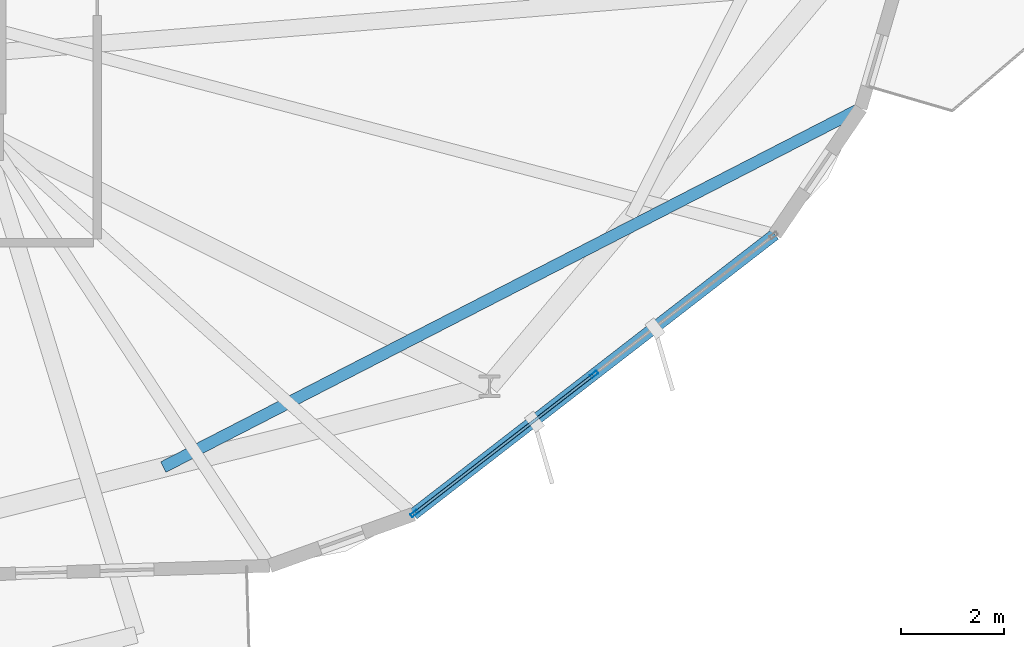
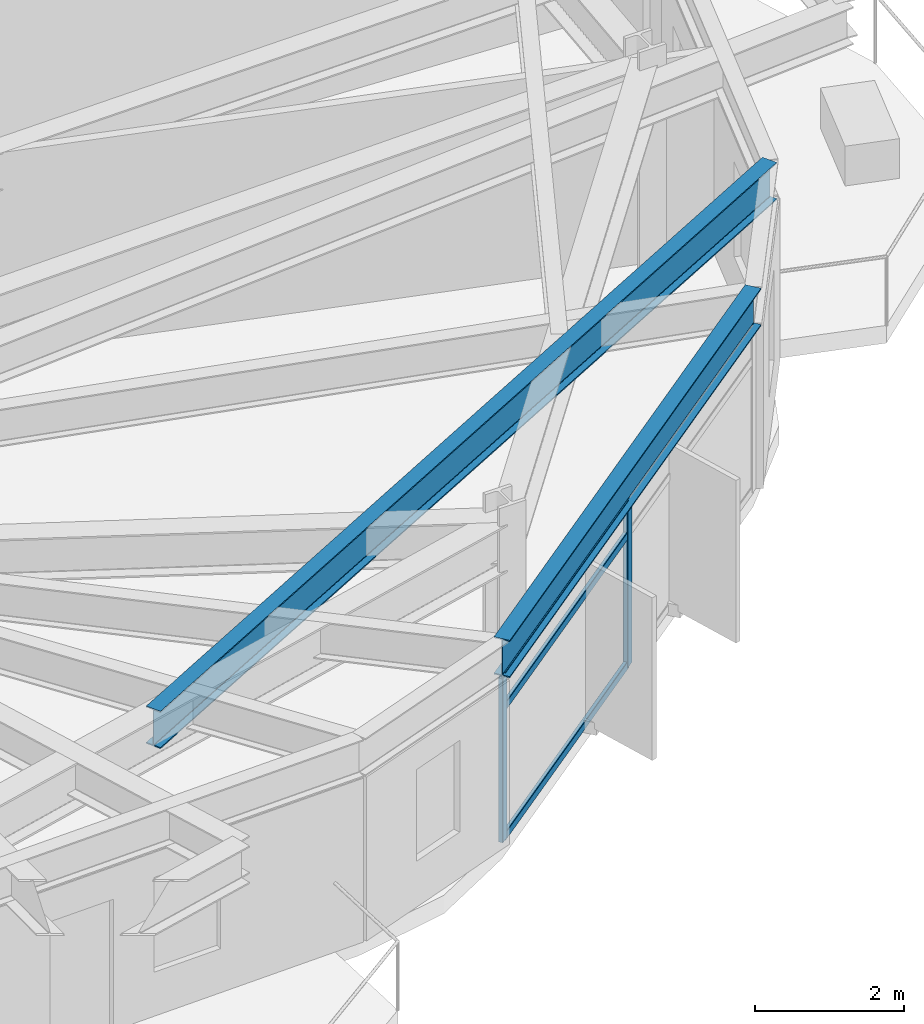
# One storey, part 5 of 23: 5 members, 2 beams, 1 element without a shape of its own.
"""IFC4 building model written with IfcOpenShell, lengths in metres."""

from ifc_helpers import new_model, si_unit, direction, frame, origin, origin_2d, place, context, subcontext, project, spatial, hollow_rectangle, i_section, extrude, material, layer, layer_set, material_profile, profile_set, type_object, element, aggregate, save


model = new_model("IFC4")

# Units and contexts
model_context = context("Model", 3, precision=1e-05, world=origin(), true_north=direction((0.0, 1.0)))
body_context = subcontext(model_context, "Body", "Model", "MODEL_VIEW")
ifc_project = project(units=[si_unit("LENGTHUNIT", "METRE"), si_unit("AREAUNIT", "SQUARE_METRE"), si_unit("VOLUMEUNIT", "CUBIC_METRE"), si_unit("PLANEANGLEUNIT", "RADIAN"), si_unit("MASSUNIT", "GRAM", prefix="KILO")], contexts=[model_context])

# Site, building, storey
site_placement = place(None, origin())
site = spatial("IfcSite", under=ifc_project, at=site_placement, CompositionType="ELEMENT")
building_placement = place(site_placement, origin())
building = spatial("IfcBuilding", under=site, at=building_placement, Name="Soratama Intermodal Tower", CompositionType="ELEMENT")
storey_placement = place(building_placement, frame((0.0, 0.0, 171.39990234375)))
storey = spatial("IfcBuildingStorey", under=building, at=storey_placement, Name="L42", CompositionType="ELEMENT", Elevation=171.39990234375)

# Beams
ifc_material_1 = material(Name="Structural steel ASTM A992 Grade 50", Category="steel")
ifc_material_profile_1 = material_profile(ifc_material_1, i_section(OverallWidth=0.22900390625, OverallDepth=0.612060546875, WebThickness=0.011962890625, FlangeThickness=0.01953125, FilletRadius=0.012939453125, at=origin_2d()), Name="W24X84")
ifc_profile_set_1 = profile_set([ifc_material_profile_1], Name="Structural steel ASTM A992 Grade 50")
beam_type_1 = type_object("IfcBeamType", Name="BM-SPN-W24X84", PredefinedType="SPANDREL", material=ifc_profile_set_1)
beam_1_placement = place(storey_placement, frame((52.7939453125, 7.669921875, 2.994140625), z_axis=(0.790773032723, 0.612109476089, 0.0), x_axis=(-0.612109476089, 0.790773032723, 0.0)))
element("IfcBeam", 1, at=beam_1_placement, inside=storey, type_object=beam_type_1, Name="BS-L42-F08", PredefinedType="SPANDREL", context=body_context, shape_type="SweptSolid", body=[
    extrude(i_section(OverallWidth=0.22900390625, OverallDepth=0.612060546875, WebThickness=0.011962890625, FlangeThickness=0.01953125, FilletRadius=0.012939453125, at=origin_2d()), origin(), (0.0, 0.0, 1.0), 8.8876953125),
])
ifc_material_2 = material(Name="Structural steel ASTM A992 Grade 50", Category="steel")
ifc_material_profile_2 = material_profile(ifc_material_2, i_section(OverallWidth=0.22900390625, OverallDepth=0.612060546875, WebThickness=0.011962890625, FlangeThickness=0.01953125, FilletRadius=0.012939453125, at=origin_2d()), Name="W24X84")
ifc_profile_set_2 = profile_set([ifc_material_profile_2], Name="Structural steel ASTM A992 Grade 50")
beam_type_2 = type_object("IfcBeamType", Name="BM-TIE-W24X84", PredefinedType="BEAM", material=ifc_profile_set_2)
beam_2_placement = place(storey_placement, frame((47.931884765625, 8.5869140625, 2.994140625), z_axis=(0.889277755234, 0.45736754809, 0.0), x_axis=(-0.45736754809, 0.889277755234, 0.0)))
element("IfcBeam", 2, at=beam_2_placement, inside=storey, type_object=beam_type_2, Name="BM-L42-TIE0-09", PredefinedType="BEAM", context=body_context, shape_type="SweptSolid", body=[
    extrude(i_section(OverallWidth=0.22900390625, OverallDepth=0.612060546875, WebThickness=0.011962890625, FlangeThickness=0.01953125, FilletRadius=0.012939453125, at=origin_2d()), origin(), (0.0, 0.0, 1.0), 15.248291015625),
])

# Curtain wall, members
ifc_material_3 = material(Name="Double-glazed aluminium curtain wall", Category="aluminium")
ifc_layer = layer(ifc_material_3, 0.159912109375)
ifc_layer_set = layer_set([ifc_layer], Name="Double-glazed aluminium curtain wall")
curtain_wall_type = type_object("IfcCurtainWallType", Name="CW-SYS-4", PredefinedType="NOTDEFINED", material=ifc_layer_set)
curtain_wall_placement = place(storey_placement, origin())
curtain_wall = element("IfcCurtainWall", 3, at=curtain_wall_placement, inside=storey, type_object=curtain_wall_type, Name="L42 Faceted Curtain Wall F08", PredefinedType="NOTDEFINED")
ifc_material_4 = material(Name="Anodised aluminium AA 6063-T6", Category="aluminium")
ifc_material_profile_3 = material_profile(ifc_material_4, hollow_rectangle(XDim=0.070068359375, YDim=0.159912109375, WallThickness=0.0048828125, InnerFilletRadius=0.0048828125, OuterFilletRadius=0.010009765625, at=origin_2d()), Name="CWM160X70X5")
ifc_profile_set_3 = profile_set([ifc_material_profile_3], Name="Anodised aluminium AA 6063-T6")
member_type_1 = type_object("IfcMemberType", Name="MT-CWM-4", PredefinedType="MULLION", material=ifc_profile_set_3)
member_1_placement = place(storey_placement, frame((52.818115234375, 7.6884765625, 0.0), z_axis=(0.0, 0.0, 1.0), x_axis=(-0.612073099005, 0.790801189601, 0.0)))
member_1 = element("IfcMember", 4, at=member_1_placement, type_object=member_type_1, Name="CW-4 mullion 1", PredefinedType="MULLION", context=body_context, shape_type="SweptSolid", body=[
    extrude(hollow_rectangle(XDim=0.070068359375, YDim=0.159912109375, WallThickness=0.0048828125, InnerFilletRadius=0.0048828125, OuterFilletRadius=0.010009765625, at=origin_2d()), origin(), (0.0, 0.0, 1.0), 2.67919921875),
])
member_2_placement = place(storey_placement, frame((56.308349609375, 10.389892578125, 0.0), z_axis=(0.0, 0.0, 1.0), x_axis=(-0.612073099005, 0.790801189601, 0.0)))
member_2 = element("IfcMember", 5, at=member_2_placement, type_object=member_type_1, Name="CW-4 mullion 2", PredefinedType="MULLION", context=body_context, shape_type="SweptSolid", body=[
    extrude(hollow_rectangle(XDim=0.070068359375, YDim=0.159912109375, WallThickness=0.0048828125, InnerFilletRadius=0.0048828125, OuterFilletRadius=0.010009765625, at=origin_2d()), origin(), (0.0, 0.0, 1.0), 2.67919921875),
])
ifc_material_5 = material(Name="Anodised aluminium AA 6063-T6", Category="aluminium")
ifc_material_profile_4 = material_profile(ifc_material_5, hollow_rectangle(XDim=0.06005859375, YDim=0.1298828125, WallThickness=0.0048828125, InnerFilletRadius=0.0048828125, OuterFilletRadius=0.010009765625, at=origin_2d()), Name="CWT130X60X5")
ifc_profile_set_4 = profile_set([ifc_material_profile_4], Name="Anodised aluminium AA 6063-T6")
member_type_2 = type_object("IfcMemberType", Name="TT-CWT-2", PredefinedType="USERDEFINED", material=ifc_profile_set_4)
member_3_placement = place(storey_placement, frame((52.842041015625, 7.70703125, 0.030029296875), z_axis=(0.790802514089, 0.612071387757, 0.0), x_axis=(-0.612071387757, 0.790802514089, 0.0)))
member_3 = element("IfcMember", 6, at=member_3_placement, type_object=member_type_2, Name="CW-4 transom 1.1", ObjectType="TRANSOM", PredefinedType="USERDEFINED", context=body_context, shape_type="SweptSolid", body=[
    extrude(hollow_rectangle(XDim=0.06005859375, YDim=0.1298828125, WallThickness=0.0048828125, InnerFilletRadius=0.0048828125, OuterFilletRadius=0.010009765625, at=origin_2d()), origin(), (0.0, 0.0, 1.0), 4.353271484375),
])
member_4_placement = place(storey_placement, frame((52.842041015625, 7.70703125, 2.150146484375), z_axis=(0.790802514089, 0.612071387757, 0.0), x_axis=(-0.612071387757, 0.790802514089, 0.0)))
member_4 = element("IfcMember", 7, at=member_4_placement, type_object=member_type_2, Name="CW-4 transom 1.2", ObjectType="TRANSOM", PredefinedType="USERDEFINED", context=body_context, shape_type="SweptSolid", body=[
    extrude(hollow_rectangle(XDim=0.06005859375, YDim=0.1298828125, WallThickness=0.0048828125, InnerFilletRadius=0.0048828125, OuterFilletRadius=0.010009765625, at=origin_2d()), origin(), (0.0, 0.0, 1.0), 4.353271484375),
])
member_5_placement = place(storey_placement, frame((52.842041015625, 7.70703125, 2.649169921875), z_axis=(0.790802514089, 0.612071387757, 0.0), x_axis=(-0.612071387757, 0.790802514089, 0.0)))
member_5 = element("IfcMember", 8, at=member_5_placement, type_object=member_type_2, Name="CW-4 transom 1.3", ObjectType="TRANSOM", PredefinedType="USERDEFINED", context=body_context, shape_type="SweptSolid", body=[
    extrude(hollow_rectangle(XDim=0.06005859375, YDim=0.1298828125, WallThickness=0.0048828125, InnerFilletRadius=0.0048828125, OuterFilletRadius=0.010009765625, at=origin_2d()), origin(), (0.0, 0.0, 1.0), 4.353271484375),
])
aggregate(curtain_wall, [member_1, member_2, member_3, member_4, member_5])

save(model, "model.ifc")
